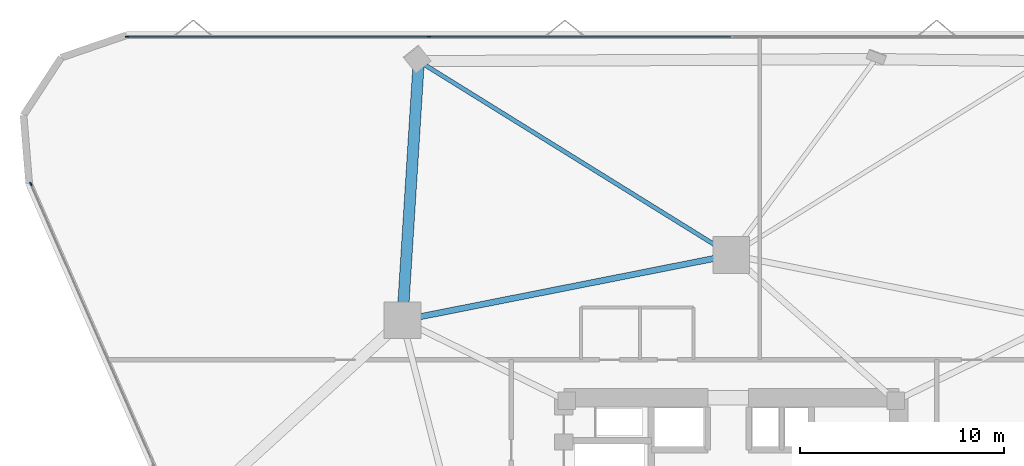
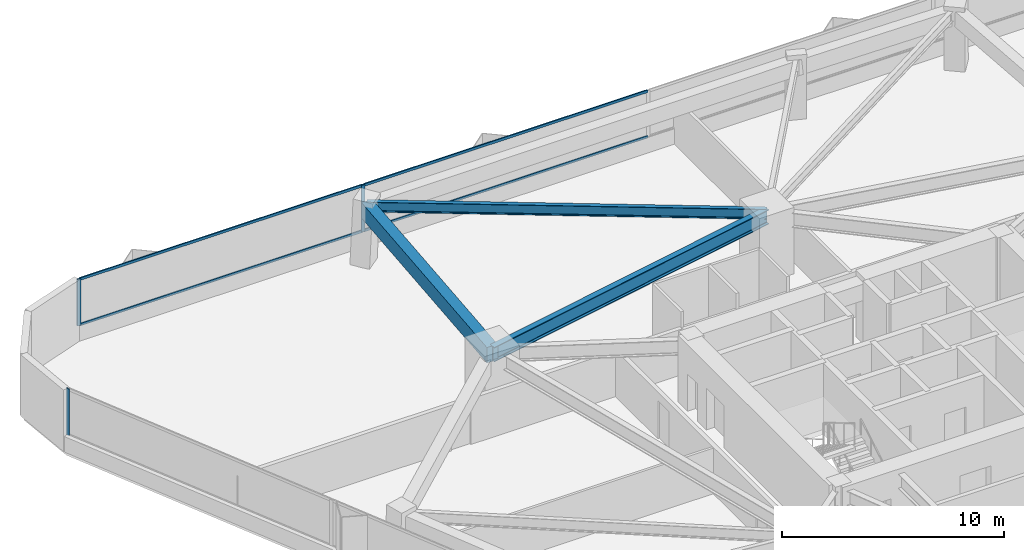
# One storey, part 11 of 20: 7 members, 3 beams, 2 elements without a shape of their own.
"""IFC4 building model written with IfcOpenShell, lengths in metres."""

from ifc_helpers import new_model, si_unit, direction, frame, origin, origin_2d, place, context, subcontext, project, spatial, rectangle, i_section, extrude, material, layer, layer_set, material_profile, profile_set, type_object, element, aggregate, save


model = new_model("IFC4")

# Units and contexts
model_context = context("Model", 3, precision=1e-05, world=origin(), true_north=direction((0.0, 1.0)))
body_context = subcontext(model_context, "Body", "Model", "MODEL_VIEW")
ifc_project = project(units=[si_unit("LENGTHUNIT", "METRE"), si_unit("AREAUNIT", "SQUARE_METRE"), si_unit("VOLUMEUNIT", "CUBIC_METRE"), si_unit("PLANEANGLEUNIT", "RADIAN"), si_unit("MASSUNIT", "GRAM", prefix="KILO")], contexts=[model_context])

# Site, building, storey
site_placement = place(None, origin())
site = spatial("IfcSite", under=ifc_project, at=site_placement, CompositionType="ELEMENT")
building_placement = place(site_placement, origin())
building = spatial("IfcBuilding", under=site, at=building_placement, Name="Talyreon Biosciences Tower", CompositionType="ELEMENT")
storey_placement = place(building_placement, frame((0.0, 0.0, 26.449951171875)))
storey = spatial("IfcBuildingStorey", under=building, at=storey_placement, Name="L06", CompositionType="ELEMENT", Elevation=26.449951171875)

# Curtain wall, member
ifc_material_1 = material(Name="Thermally broken aluminium and low-E glazing", Category="aluminium")
ifc_layer = layer(ifc_material_1, 0.195068359375)
ifc_layer_set = layer_set([ifc_layer], Name="Thermally broken aluminium and low-E glazing")
curtain_wall_type = type_object("IfcCurtainWallType", Name="CurtainWall_Zone1WetLab", PredefinedType="NOTDEFINED", material=ifc_layer_set)
curtain_wall_1_placement = place(storey_placement, origin())
curtain_wall_1 = element("IfcCurtainWall", 1, at=curtain_wall_1_placement, inside=storey, type_object=curtain_wall_type, Name="L06 Unitised Curtain Wall FCW-L06-00", PredefinedType="NOTDEFINED")
ifc_material_2 = material(Name="Anodised thermally broken aluminium", Category="aluminium")
ifc_material_profile_1 = material_profile(ifc_material_2, rectangle(XDim=0.06494140625, YDim=0.179931640625, at=origin_2d()), Name="ALUM MULLION 65x180")
ifc_profile_set_1 = profile_set([ifc_material_profile_1], Name="Anodised thermally broken aluminium")
member_type_1 = type_object("IfcMemberType", Name="CWMullion_65x180", PredefinedType="MULLION", material=ifc_profile_set_1)
member_1_placement = place(storey_placement, frame((31.7119140625, 85.26953125, 0.81005859375), z_axis=(0.0, 0.0, 1.0), x_axis=(-0.915926900592, -0.401345129249, 0.0)))
member_1 = element("IfcMember", 2, at=member_1_placement, type_object=member_type_1, Name="CW2 mullion 6", PredefinedType="MULLION", context=body_context, shape_type="SweptSolid", body=[
    extrude(rectangle(XDim=0.06494140625, YDim=0.179931640625, at=origin_2d()), origin(), (0.0, 0.0, 1.0), 2.56494140625),
])
aggregate(curtain_wall_1, [member_1])

# Curtain wall, members
curtain_wall_2_placement = place(storey_placement, origin())
curtain_wall_2 = element("IfcCurtainWall", 3, at=curtain_wall_2_placement, inside=storey, type_object=curtain_wall_type, Name="L06 Unitised Curtain Wall FCW-L06-04", PredefinedType="NOTDEFINED")
member_2_placement = place(storey_placement, frame((36.4208984375, 92.474365234375, 0.81005859375), z_axis=(0.0, 0.0, 1.0), x_axis=(0.0, 1.0, 0.0)))
member_2 = element("IfcMember", 4, at=member_2_placement, type_object=member_type_1, Name="CW2 mullion 1", PredefinedType="MULLION", context=body_context, shape_type="SweptSolid", body=[
    extrude(rectangle(XDim=0.06494140625, YDim=0.179931640625, at=origin_2d()), origin(), (0.0, 0.0, 1.0), 2.56494140625),
])
member_3_placement = place(storey_placement, frame((51.1943359375, 92.474365234375, 0.81005859375), z_axis=(0.0, 0.0, 1.0), x_axis=(0.0, 1.0, 0.0)))
member_3 = element("IfcMember", 5, at=member_3_placement, type_object=member_type_1, Name="CW2 mullion 2", PredefinedType="MULLION", context=body_context, shape_type="SweptSolid", body=[
    extrude(rectangle(XDim=0.06494140625, YDim=0.179931640625, at=origin_2d()), origin(), (0.0, 0.0, 1.0), 2.56494140625),
])
ifc_material_profile_2 = material_profile(ifc_material_2, rectangle(XDim=0.06494140625, YDim=0.139892578125, at=origin_2d()), Name="ALUM TRANSOM 65x140")
ifc_profile_set_2 = profile_set([ifc_material_profile_2], Name="Anodised thermally broken aluminium")
member_type_2 = type_object("IfcMemberType", Name="CWTransom_65x140", PredefinedType="USERDEFINED", material=ifc_profile_set_2)
member_4_placement = place(storey_placement, frame((36.45361328125, 92.474365234375, 0.842529296875), z_axis=(1.0, 0.0, 0.0), x_axis=(0.0, 1.0, 0.0)))
member_4 = element("IfcMember", 6, at=member_4_placement, type_object=member_type_2, Name="CW2 transom 1.1", ObjectType="TRANSOM", PredefinedType="USERDEFINED", context=body_context, shape_type="SweptSolid", body=[
    extrude(rectangle(XDim=0.06494140625, YDim=0.139892578125, at=origin_2d()), origin(), (0.0, 0.0, 1.0), 14.708251953125),
])
member_5_placement = place(storey_placement, frame((36.45361328125, 92.474365234375, 3.342529296875), z_axis=(1.0, 0.0, 0.0), x_axis=(0.0, 1.0, 0.0)))
member_5 = element("IfcMember", 7, at=member_5_placement, type_object=member_type_2, Name="CW2 transom 1.2", ObjectType="TRANSOM", PredefinedType="USERDEFINED", context=body_context, shape_type="SweptSolid", body=[
    extrude(rectangle(XDim=0.06494140625, YDim=0.139892578125, at=origin_2d()), origin(), (0.0, 0.0, 1.0), 14.708251953125),
])
member_6_placement = place(storey_placement, frame((51.226806640625, 92.474365234375, 0.842529296875), z_axis=(1.0, 0.0, 0.0), x_axis=(0.0, 1.0, 0.0)))
member_6 = element("IfcMember", 8, at=member_6_placement, type_object=member_type_2, Name="CW2 transom 2.1", ObjectType="TRANSOM", PredefinedType="USERDEFINED", context=body_context, shape_type="SweptSolid", body=[
    extrude(rectangle(XDim=0.06494140625, YDim=0.139892578125, at=origin_2d()), origin(), (0.0, 0.0, 1.0), 14.74072265625),
])
member_7_placement = place(storey_placement, frame((51.226806640625, 92.474365234375, 3.342529296875), z_axis=(1.0, 0.0, 0.0), x_axis=(0.0, 1.0, 0.0)))
member_7 = element("IfcMember", 9, at=member_7_placement, type_object=member_type_2, Name="CW2 transom 2.2", ObjectType="TRANSOM", PredefinedType="USERDEFINED", context=body_context, shape_type="SweptSolid", body=[
    extrude(rectangle(XDim=0.06494140625, YDim=0.139892578125, at=origin_2d()), origin(), (0.0, 0.0, 1.0), 14.74072265625),
])
aggregate(curtain_wall_2, [member_2, member_3, member_4, member_5, member_6, member_7])

# Beams
ifc_material_3 = material(Name="Precast concrete C45/55", Category="concrete")
ifc_material_profile_3 = material_profile(ifc_material_3, rectangle(XDim=0.550048828125, YDim=0.85009765625, at=origin_2d()), Name="RCB 550x850")
ifc_profile_set_3 = profile_set([ifc_material_profile_3], Name="Precast concrete C45/55")
beam_type_1 = type_object("IfcBeamType", Name="ExpressedSpandrel_550x850", PredefinedType="SPANDREL", material=ifc_profile_set_3)
beam_1_placement = place(storey_placement, frame((50.699951171875, 91.281982421875, 2.949951171875), z_axis=(-0.063125759603, -0.998005580382, 0.0), x_axis=(0.998005580382, -0.063125759603, 0.0)))
element("IfcBeam", 10, at=beam_1_placement, inside=storey, type_object=beam_type_1, Name="L06 Expressed Horizontal Concrete Spandrel 08", PredefinedType="SPANDREL", context=body_context, shape_type="SweptSolid", body=[
    extrude(rectangle(XDim=0.550048828125, YDim=0.85009765625, at=origin_2d()), origin(), (0.0, 0.0, 1.0), 12.708740234375),
])
ifc_material_4 = material(Name="Steel SM355", Category="steel")
ifc_material_profile_4 = material_profile(ifc_material_4, i_section(OverallWidth=0.300048828125, OverallDepth=0.800048828125, WebThickness=0.017578125, FlangeThickness=0.032958984375, FilletRadius=0.030029296875, at=origin_2d()), Name="HE800B")
ifc_profile_set_4 = profile_set([ifc_material_profile_4], Name="Steel SM355")
beam_type_2 = type_object("IfcBeamType", Name="SteelGirder_HE800B", PredefinedType="BEAM", material=ifc_profile_set_4)
beam_2_placement = place(storey_placement, frame((66.0, 81.788818359375, 2.97509765625), z_axis=(-0.980933730698, -0.194342522311, 0.0), x_axis=(0.194342522311, -0.980933730698, 0.0)))
element("IfcBeam", 11, at=beam_2_placement, inside=storey, type_object=beam_type_2, Name="L06 Mega-Ring Girder 4", PredefinedType="BEAM", context=body_context, shape_type="SweptSolid", body=[
    extrude(i_section(OverallWidth=0.300048828125, OverallDepth=0.800048828125, WebThickness=0.017578125, FlangeThickness=0.032958984375, FilletRadius=0.030029296875, at=origin_2d()), origin(), (0.0, 0.0, 1.0), 16.415283203125),
])
ifc_material_profile_5 = material_profile(ifc_material_4, i_section(OverallWidth=0.2099609375, OverallDepth=0.550048828125, WebThickness=0.010986328125, FlangeThickness=0.01708984375, FilletRadius=0.02392578125, at=origin_2d()), Name="IPE550")
ifc_profile_set_5 = profile_set([ifc_material_profile_5], Name="Steel SM355")
beam_type_3 = type_object("IfcBeamType", Name="SteelJoist_IPE550", PredefinedType="JOIST", material=ifc_profile_set_5)
beam_3_placement = place(storey_placement, frame((66.0, 81.788818359375, 3.10009765625), z_axis=(-0.849725209854, 0.527225822336, 0.0), x_axis=(-0.527225822336, -0.849725209854, 0.0)))
element("IfcBeam", 12, at=beam_3_placement, inside=storey, type_object=beam_type_3, Name="L06 Radial Composite Floor Joist PC-N2", PredefinedType="JOIST", context=body_context, shape_type="SweptSolid", body=[
    extrude(i_section(OverallWidth=0.2099609375, OverallDepth=0.550048828125, WebThickness=0.010986328125, FlangeThickness=0.01708984375, FilletRadius=0.02392578125, at=origin_2d()), origin(), (0.0, 0.0, 1.0), 18.005859375),
])

save(model, "model.ifc")
